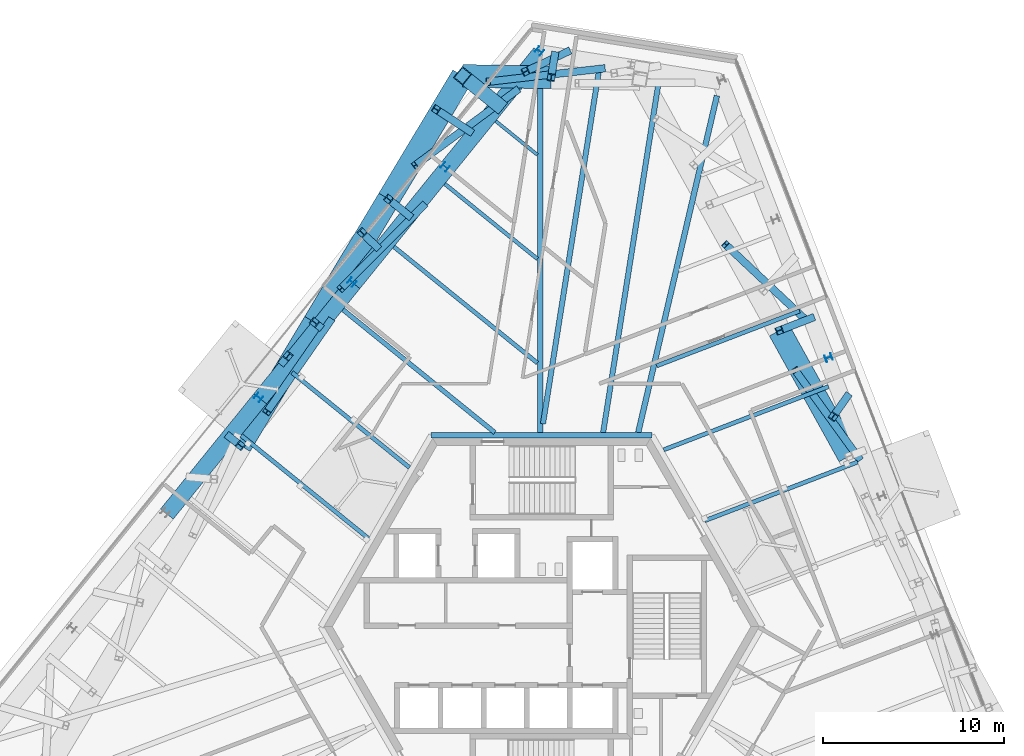
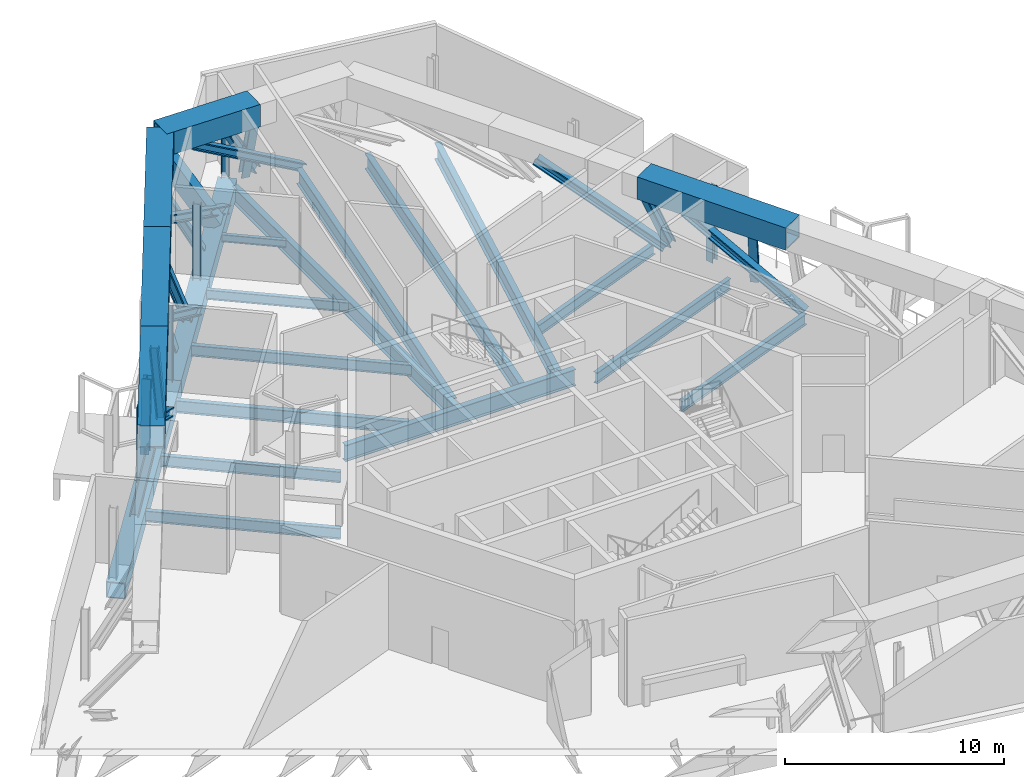
# One storey, part 5 of 14: 31 members, 14 beams.
"""IFC4 building model written with IfcOpenShell, lengths in metres."""

from ifc_helpers import new_model, si_unit, direction, frame, origin, origin_2d, place, context, subcontext, project, spatial, hollow_rectangle, i_section, extrude, source, transform, mapped, material, material_profile, profile_set, type_object, element, save


model = new_model("IFC4")

# Units and contexts
model_context = context("Model", 3, precision=1e-05, world=origin(), true_north=direction((0.0, 1.0)))
body_context = subcontext(model_context, "Body", "Model", "MODEL_VIEW")
ifc_project = project(units=[si_unit("LENGTHUNIT", "METRE"), si_unit("AREAUNIT", "SQUARE_METRE"), si_unit("VOLUMEUNIT", "CUBIC_METRE"), si_unit("PLANEANGLEUNIT", "RADIAN"), si_unit("MASSUNIT", "GRAM", prefix="KILO")], contexts=[model_context])

# Site, building, storey
site_placement = place(None, origin())
site = spatial("IfcSite", under=ifc_project, at=site_placement, CompositionType="ELEMENT")
building_placement = place(site_placement, origin())
building = spatial("IfcBuilding", under=site, at=building_placement, Name="Triune Harvest Tower", CompositionType="ELEMENT")
storey_placement = place(building_placement, frame((0.0, 0.0, 174.925048828125)))
storey = spatial("IfcBuildingStorey", under=building, at=storey_placement, Name="L45", CompositionType="ELEMENT", Elevation=174.925048828125)

# Beams
ifc_material_1 = material(Name="Steel ASTM A992 Gr 50", Category="steel")
ifc_material_profile_1 = material_profile(ifc_material_1, i_section(OverallWidth=0.307373046875, OverallDepth=0.922119140625, WebThickness=0.018310546875, FlangeThickness=0.030029296875, at=origin_2d()), Name="W36x182")
ifc_profile_set_1 = profile_set([ifc_material_profile_1], Name="Steel ASTM A992 Gr 50")
beam_type_1 = type_object("IfcBeamType", Name="HG-2 Hip girder W36x182", PredefinedType="BEAM", material=ifc_profile_set_1)
beam_1_placement = place(storey_placement, frame((9.66455078125, 29.269287109375, -0.7109375), z_axis=(-0.227604304502, -0.97375370632, 0.0), x_axis=(0.97375370632, -0.227604304502, 0.0)))
element("IfcBeam", 1, at=beam_1_placement, inside=storey, type_object=beam_type_1, Name="beam/L45/HG3", PredefinedType="BEAM", context=body_context, shape_type="SweptSolid", body=[
    extrude(i_section(OverallWidth=0.307373046875, OverallDepth=0.922119140625, WebThickness=0.018310546875, FlangeThickness=0.030029296875, at=origin_2d()), origin(), (0.0, 0.0, 1.0), 19.07275390625),
])
ifc_material_2 = material(Name="Steel ASTM A992 Gr 50", Category="steel")
ifc_material_profile_2 = material_profile(ifc_material_2, i_section(OverallWidth=0.22900390625, OverallDepth=0.612060546875, WebThickness=0.011962890625, FlangeThickness=0.01953125, at=origin_2d()), Name="W24x84")
ifc_profile_set_2 = profile_set([ifc_material_profile_2], Name="Steel ASTM A992 Gr 50")
beam_type_2 = type_object("IfcBeamType", Name="JT-3 Floor joist W24x84", PredefinedType="JOIST", material=ifc_profile_set_2)
beam_2_placement = place(storey_placement, frame((15.81884765625, 13.23681640625, -0.55615234375), z_axis=(-0.933581831711, -0.358364288816, 0.0), x_axis=(0.358364288816, -0.933581831711, 0.0)))
element("IfcBeam", 2, at=beam_2_placement, inside=storey, type_object=beam_type_2, Name="beam/L45/JT7", PredefinedType="JOIST", context=body_context, shape_type="SweptSolid", body=[
    extrude(i_section(OverallWidth=0.22900390625, OverallDepth=0.612060546875, WebThickness=0.011962890625, FlangeThickness=0.01953125, at=origin_2d()), origin(), (0.0, 0.0, 1.0), 9.74072265625),
])
ifc_material_3 = material(Name="Steel ASTM A992 Gr 50", Category="steel")
ifc_material_profile_3 = material_profile(ifc_material_3, i_section(OverallWidth=0.253662109375, OverallDepth=0.683349609375, WebThickness=0.012451171875, FlangeThickness=0.01904296875, at=origin_2d()), Name="W27x94")
ifc_profile_set_3 = profile_set([ifc_material_profile_3], Name="Steel ASTM A992 Gr 50")
beam_type_3 = type_object("IfcBeamType", Name="JT-4 Floor joist W27x94", PredefinedType="JOIST", material=ifc_profile_set_3)
beam_3_placement = place(storey_placement, frame((-10.954345703125, 17.477294921875, -0.591552734375), z_axis=(0.777140901301, -0.629326639771, 0.0), x_axis=(0.629326639771, 0.777140901301, 0.0)))
element("IfcBeam", 3, at=beam_3_placement, inside=storey, type_object=beam_type_3, Name="beam/L45/JT16", PredefinedType="JOIST", context=body_context, shape_type="SweptSolid", body=[
    extrude(i_section(OverallWidth=0.253662109375, OverallDepth=0.683349609375, WebThickness=0.012451171875, FlangeThickness=0.01904296875, at=origin_2d()), origin(), (0.0, 0.0, 1.0), 10.77392578125),
])
ifc_material_4 = material(Name="Steel ASTM A992 Gr 50", Category="steel")
ifc_material_profile_4 = material_profile(ifc_material_4, i_section(OverallWidth=0.2919921875, OverallDepth=0.8583984375, WebThickness=0.01708984375, FlangeThickness=0.031005859375, at=origin_2d()), Name="W33x169")
ifc_profile_set_4 = profile_set([ifc_material_profile_4], Name="Steel ASTM A992 Gr 50")
beam_type_4 = type_object("IfcBeamType", Name="JT-7 Floor joist W33x169", PredefinedType="JOIST", material=ifc_profile_set_4)
beam_4_placement = place(storey_placement, frame((3.1591796875, 30.6533203125, -0.679443359375), z_axis=(-0.156433031063, -0.987688567714, 0.0), x_axis=(0.987688567714, -0.156433031063, 0.0)))
element("IfcBeam", 4, at=beam_4_placement, inside=storey, type_object=beam_type_4, Name="beam/L45/JT12", PredefinedType="JOIST", context=body_context, shape_type="SweptSolid", body=[
    extrude(i_section(OverallWidth=0.2919921875, OverallDepth=0.8583984375, WebThickness=0.01708984375, FlangeThickness=0.031005859375, at=origin_2d()), origin(), (0.0, 0.0, 1.0), 19.718994140625),
])

# Members
ifc_material_5 = material(Name="Steel ASTM A572 Gr 50", Category="steel")
ifc_material_profile_5 = material_profile(ifc_material_5, hollow_rectangle(XDim=1.25, YDim=1.25, WallThickness=0.070068359375, at=origin_2d()), Name="Box 1250x1250x70")
ifc_profile_set_5 = profile_set([ifc_material_profile_5], Name="Steel ASTM A572 Gr 50")
member_type_1 = type_object("IfcMemberType", Name="TC-1 Belt truss chord Box 1250x1250x70", PredefinedType="CHORD", material=ifc_profile_set_5)
member_1_placement = place(storey_placement, frame((-4.359130859375, 30.36376953125, 4.18994140625), z_axis=(-0.5150210223, -0.857177546713, 0.0), x_axis=(0.857177546713, -0.5150210223, 0.0)))
element("IfcMember", 5, at=member_1_placement, inside=storey, type_object=member_type_1, Name="truss/L45/TCT9", PredefinedType="CHORD", context=body_context, shape_type="SweptSolid", body=[
    extrude(hollow_rectangle(XDim=1.25, YDim=1.25, WallThickness=0.070068359375, at=origin_2d()), origin(), (0.0, 0.0, 1.0), 7.927490234375),
])
ifc_material_6 = material(Name="Steel ASTM A992 Gr 50", Category="steel")
ifc_material_profile_6 = material_profile(ifc_material_6, i_section(OverallWidth=0.411376953125, OverallDepth=0.434326171875, WebThickness=0.035888671875, FlangeThickness=0.057373046875, at=origin_2d()), Name="W14x311")
ifc_profile_set_6 = profile_set([ifc_material_profile_6], Name="Steel ASTM A992 Gr 50")
member_type_2 = type_object("IfcMemberType", Name="TD-2 Belt truss diagonal W14x311", PredefinedType="BRACE", material=ifc_profile_set_6)
member_2_placement = place(storey_placement, frame((-11.632080078125, 16.878662109375, -0.324951171875), z_axis=(-0.481877560702, -0.691860716535, 0.537701371961), x_axis=(0.820580833985, -0.571530484661, 0.0)))
element("IfcMember", 6, at=member_2_placement, inside=storey, type_object=member_type_2, Name="truss/L45/TD21", PredefinedType="BRACE", context=body_context, shape_type="SweptSolid", body=[
    extrude(i_section(OverallWidth=0.411376953125, OverallDepth=0.434326171875, WebThickness=0.035888671875, FlangeThickness=0.057373046875, at=origin_2d()), origin(), (0.0, 0.0, 1.0), 7.29931640625),
])

# Beams
ifc_material_7 = material(Name="Steel ASTM A992 Gr 50", Category="steel")
ifc_material_profile_7 = material_profile(ifc_material_7, i_section(OverallWidth=0.3046875, OverallDepth=0.914306640625, WebThickness=0.0166015625, FlangeThickness=0.02587890625, at=origin_2d()), Name="W36x160")
ifc_profile_set_7 = profile_set([ifc_material_profile_7], Name="Steel ASTM A992 Gr 50")
beam_type_5 = type_object("IfcBeamType", Name="CG-1 Core ring girder W36x160", PredefinedType="BEAM", material=ifc_profile_set_7)
shared_shape_1 = source(origin(), body_context, "Body", "SweptSolid", [
    extrude(i_section(OverallWidth=0.3046875, OverallDepth=0.914306640625, WebThickness=0.0166015625, FlangeThickness=0.02587890625, at=origin_2d()), origin(), (0.0, 0.0, 1.0), 12.17578125),
])
beam_5_placement = place(storey_placement, frame((6.087890625, 10.544677734375, -0.707275390625), z_axis=(-1.0, 0.0, 0.0), x_axis=(0.0, -1.0, 0.0)))
element("IfcBeam", 7, at=beam_5_placement, inside=storey, type_object=beam_type_5, Name="beam/L45/CG2", PredefinedType="BEAM", context=body_context, shape_type="MappedRepresentation", body=[
    mapped(shared_shape_1, transform((0.0, 0.0, 0.0), scale=1.0)),
])
shared_shape_2 = source(origin(), body_context, "Body", "SweptSolid", [
    extrude(i_section(OverallWidth=0.307373046875, OverallDepth=0.922119140625, WebThickness=0.018310546875, FlangeThickness=0.030029296875, at=origin_2d()), origin(), (0.0, 0.0, 1.0), 20.209716796875),
])
beam_6_placement = place(storey_placement, frame((-0.0791015625, 30.90673828125, -0.7109375), z_axis=(0.0, -1.0, 0.0), x_axis=(1.0, 0.0, 0.0)))
element("IfcBeam", 8, at=beam_6_placement, inside=storey, type_object=beam_type_1, Name="beam/L45/HG4", PredefinedType="BEAM", context=body_context, shape_type="MappedRepresentation", body=[
    mapped(shared_shape_2, transform((0.0, 0.0, 0.0), scale=1.0)),
])
shared_shape_3 = source(origin(), body_context, "Body", "SweptSolid", [
    extrude(i_section(OverallWidth=0.22900390625, OverallDepth=0.612060546875, WebThickness=0.011962890625, FlangeThickness=0.01953125, at=origin_2d()), origin(), (0.0, 0.0, 1.0), 10.18505859375),
])
beam_7_placement = place(storey_placement, frame((-8.148193359375, 20.942626953125, -0.55615234375), z_axis=(0.777146056887, -0.629320273203, 0.0), x_axis=(0.629320273203, 0.777146056887, 0.0)))
element("IfcBeam", 9, at=beam_7_placement, inside=storey, type_object=beam_type_2, Name="beam/L45/JT15", PredefinedType="JOIST", context=body_context, shape_type="MappedRepresentation", body=[
    mapped(shared_shape_3, transform((0.0, 0.0, 0.0), scale=1.0)),
])
shared_shape_4 = source(origin(), body_context, "Body", "SweptSolid", [
    extrude(i_section(OverallWidth=0.22900390625, OverallDepth=0.612060546875, WebThickness=0.011962890625, FlangeThickness=0.01953125, at=origin_2d()), origin(), (0.0, 0.0, 1.0), 9.03466796875),
])
for number, where, z_axis, x_axis, name in (
    (10, (17.4169921875, 9.073974609375, -0.55615234375), (-0.933578027783, -0.358374198346, 0.0), (0.358374198346, -0.933578027783, 0.0), "beam/L45/JT6"),
    (11, (-16.566650390625, 10.54638671875, -0.55615234375), (0.777153613736, -0.629310941155, 0.0), (0.629310941155, 0.777153613736, 0.0), "beam/L45/JT18"),
):
    element("IfcBeam", number, at=place(storey_placement, frame(where, z_axis=z_axis, x_axis=x_axis)), inside=storey, type_object=beam_type_2, Name=name, PredefinedType="JOIST", context=body_context, shape_type="MappedRepresentation", body=[
        mapped(shared_shape_4, transform((0.0, 0.0, 0.0), scale=1.0)),
    ])
shared_shape_5 = source(origin(), body_context, "Body", "SweptSolid", [
    extrude(i_section(OverallWidth=0.22900390625, OverallDepth=0.612060546875, WebThickness=0.011962890625, FlangeThickness=0.01953125, at=origin_2d()), origin(), (0.0, 0.0, 1.0), 8.4404296875),
])
beam_8_placement = place(storey_placement, frame((14.220947265625, 17.399658203125, -0.55615234375), z_axis=(-0.933586190145, -0.358352934369, 0.0), x_axis=(0.358352934369, -0.933586190145, 0.0)))
element("IfcBeam", 12, at=beam_8_placement, inside=storey, type_object=beam_type_2, Name="beam/L45/JT8", PredefinedType="JOIST", context=body_context, shape_type="MappedRepresentation", body=[
    mapped(shared_shape_5, transform((0.0, 0.0, 0.0), scale=1.0)),
])
shared_shape_6 = source(origin(), body_context, "Body", "SweptSolid", [
    extrude(i_section(OverallWidth=0.2919921875, OverallDepth=0.8583984375, WebThickness=0.01708984375, FlangeThickness=0.031005859375, at=origin_2d()), origin(), (0.0, 0.0, 1.0), 19.674560546875),
])
beam_9_placement = place(storey_placement, frame((6.468017578125, 30.12939453125, -0.679443359375), z_axis=(-0.156439191803, -0.987687591938, 0.0), x_axis=(0.987687591938, -0.156439191803, 0.0)))
element("IfcBeam", 13, at=beam_9_placement, inside=storey, type_object=beam_type_4, Name="beam/L45/JT11", PredefinedType="JOIST", context=body_context, shape_type="MappedRepresentation", body=[
    mapped(shared_shape_6, transform((0.0, 0.0, 0.0), scale=1.0)),
])
ifc_material_8 = material(Name="Steel ASTM A992 Gr 50", Category="steel")
ifc_material_profile_8 = material_profile(ifc_material_8, i_section(OverallWidth=0.180908203125, OverallDepth=0.41650390625, WebThickness=0.010986328125, FlangeThickness=0.01806640625, at=origin_2d()), Name="W16x57")
ifc_profile_set_8 = profile_set([ifc_material_profile_8], Name="Steel ASTM A992 Gr 50")
beam_type_6 = type_object("IfcBeamType", Name="JT-1 Floor joist W16x57", PredefinedType="JOIST", material=ifc_profile_set_8)
shared_shape_7 = source(origin(), body_context, "Body", "SweptSolid", [
    extrude(i_section(OverallWidth=0.180908203125, OverallDepth=0.41650390625, WebThickness=0.010986328125, FlangeThickness=0.01806640625, at=origin_2d()), origin(), (0.0, 0.0, 1.0), 2.963134765625),
])
beam_10_placement = place(storey_placement, frame((-2.53564453125, 27.873291015625, -0.458251953125), z_axis=(0.777141246754, -0.629326213179, 0.0), x_axis=(0.629326213179, 0.777141246754, 0.0)))
element("IfcBeam", 14, at=beam_10_placement, inside=storey, type_object=beam_type_6, Name="beam/L45/JT13", PredefinedType="JOIST", context=body_context, shape_type="MappedRepresentation", body=[
    mapped(shared_shape_7, transform((0.0, 0.0, 0.0), scale=1.0)),
])
ifc_material_9 = material(Name="Steel ASTM A992 Gr 50", Category="steel")
ifc_material_profile_9 = material_profile(ifc_material_9, i_section(OverallWidth=0.2099609375, OverallDepth=0.535888671875, WebThickness=0.010986328125, FlangeThickness=0.017333984375, at=origin_2d()), Name="W21x68")
ifc_profile_set_9 = profile_set([ifc_material_profile_9], Name="Steel ASTM A992 Gr 50")
beam_type_7 = type_object("IfcBeamType", Name="JT-2 Floor joist W21x68", PredefinedType="JOIST", material=ifc_profile_set_9)
shared_shape_8 = source(origin(), body_context, "Body", "SweptSolid", [
    extrude(i_section(OverallWidth=0.2099609375, OverallDepth=0.535888671875, WebThickness=0.010986328125, FlangeThickness=0.017333984375, at=origin_2d()), origin(), (0.0, 0.0, 1.0), 6.573974609375),
])
beam_11_placement = place(storey_placement, frame((-5.341796875, 24.407958984375, -0.51806640625), z_axis=(0.777137618763, -0.629330693279, 0.0), x_axis=(0.629330693279, 0.777137618763, 0.0)))
element("IfcBeam", 15, at=beam_11_placement, inside=storey, type_object=beam_type_7, Name="beam/L45/JT14", PredefinedType="JOIST", context=body_context, shape_type="MappedRepresentation", body=[
    mapped(shared_shape_8, transform((0.0, 0.0, 0.0), scale=1.0)),
])
shared_shape_9 = source(origin(), body_context, "Body", "SweptSolid", [
    extrude(i_section(OverallWidth=0.22900390625, OverallDepth=0.612060546875, WebThickness=0.011962890625, FlangeThickness=0.01953125, at=origin_2d()), origin(), (0.0, 0.0, 1.0), 8.328369140625),
])
beam_12_placement = place(storey_placement, frame((-13.760498046875, 14.011962890625, -0.55615234375), z_axis=(0.777148606648, -0.629317124496, 0.0), x_axis=(0.629317124496, 0.777148606648, 0.0)))
element("IfcBeam", 16, at=beam_12_placement, inside=storey, type_object=beam_type_2, Name="beam/L45/JT17", PredefinedType="JOIST", context=body_context, shape_type="MappedRepresentation", body=[
    mapped(shared_shape_9, transform((0.0, 0.0, 0.0), scale=1.0)),
])

# Members
ifc_material_10 = material(Name="Steel ASTM A992 Gr 50", Category="steel")
ifc_material_profile_10 = material_profile(ifc_material_10, i_section(OverallWidth=0.373291015625, OverallDepth=0.373291015625, WebThickness=0.016357421875, FlangeThickness=0.026123046875, at=origin_2d()), Name="W14x132")
ifc_profile_set_10 = profile_set([ifc_material_profile_10], Name="Steel ASTM A992 Gr 50")
member_type_3 = type_object("IfcMemberType", Name="WP-4 Roof edge post W14x132", PredefinedType="POST", material=ifc_profile_set_10)
shared_shape_10 = source(origin(), body_context, "Body", "SweptSolid", [
    extrude(i_section(OverallWidth=0.373291015625, OverallDepth=0.373291015625, WebThickness=0.016357421875, FlangeThickness=0.026123046875, at=origin_2d()), origin(), (0.0, 0.0, 1.0), 4.150634765625),
])
for number, where, z_axis, x_axis, name in (
    (17, (15.818359375, 14.82861328125, -0.25), (0.0, 0.0, 1.0), (-0.358367949545, 0.933580426497, 0.0), "post/L45/W4"),
    (18, (-0.122314453125, 31.73388671875, -0.25), (0.0, 0.0, 1.0), (-0.629321747424, -0.777144863084, 0.0), "post/L45/W8"),
    (19, (-5.317138671875, 25.34423828125, -0.25), (0.0, 0.0, 1.0), (-0.629321747424, -0.777144863084, 0.0), "post/L45/W9"),
    (20, (-10.4619140625, 18.9912109375, -0.25), (0.0, 0.0, 1.0), (-0.629321747424, -0.777144863084, 0.0), "post/L45/W10"),
    (21, (-15.606689453125, 12.637939453125, -0.25), (0.0, 0.0, 1.0), (-0.629321747424, -0.777144863084, 0.0), "post/L45/W11"),
):
    element("IfcMember", number, at=place(storey_placement, frame(where, z_axis=z_axis, x_axis=x_axis)), inside=storey, type_object=member_type_3, Name=name, PredefinedType="POST", context=body_context, shape_type="MappedRepresentation", body=[
        mapped(shared_shape_10, transform((0.0, 0.0, 0.0), scale=1.0)),
    ])
ifc_material_11 = material(Name="Steel ASTM A572 Gr 50", Category="steel")
ifc_material_profile_11 = material_profile(ifc_material_11, hollow_rectangle(XDim=0.89990234375, YDim=0.89990234375, WallThickness=0.050048828125, at=origin_2d()), Name="Box 900x900x50")
ifc_profile_set_11 = profile_set([ifc_material_profile_11], Name="Steel ASTM A572 Gr 50")
member_type_4 = type_object("IfcMemberType", Name="TC-2 Belt truss chord Box 900x900x50", PredefinedType="CHORD", material=ifc_profile_set_11)
shared_shape_11 = source(origin(), body_context, "Body", "SweptSolid", [
    extrude(hollow_rectangle(XDim=0.89990234375, YDim=0.89990234375, WallThickness=0.050048828125, at=origin_2d()), origin(), (0.0, 0.0, 1.0), 8.175048828125),
])
for number, where, z_axis, x_axis, name in (
    (22, (-0.0791015625, 31.621826171875, -0.699951171875), (-0.629334818401, -0.777134278196, 0.0), (0.777134278196, -0.629334818401, 0.0), "truss/L45/TCB9"),
    (23, (-5.223876953125, 25.268798828125, -0.699951171875), (-0.629320212564, -0.777146105992, 0.0), (0.777146105992, -0.629320212564, 0.0), "truss/L45/TCB10"),
    (24, (-15.51318359375, 12.5625, -0.699951171875), (-0.629320212564, -0.777146105992, 0.0), (0.777146105992, -0.629320212564, 0.0), "truss/L45/TCB12"),
):
    element("IfcMember", number, at=place(storey_placement, frame(where, z_axis=z_axis, x_axis=x_axis)), inside=storey, type_object=member_type_4, Name=name, PredefinedType="CHORD", context=body_context, shape_type="MappedRepresentation", body=[
        mapped(shared_shape_11, transform((0.0, 0.0, 0.0), scale=1.0)),
    ])
shared_shape_12 = source(origin(), body_context, "Body", "SweptSolid", [
    extrude(hollow_rectangle(XDim=0.89990234375, YDim=0.89990234375, WallThickness=0.050048828125, at=origin_2d()), origin(), (0.0, 0.0, 1.0), 8.1748046875),
])
member_3_placement = place(storey_placement, frame((-10.36865234375, 18.91552734375, -0.699951171875), z_axis=(-0.62931678159, -0.777148884326, 0.0), x_axis=(0.777148884326, -0.62931678159, 0.0)))
element("IfcMember", 25, at=member_3_placement, inside=storey, type_object=member_type_4, Name="truss/L45/TCB11", PredefinedType="CHORD", context=body_context, shape_type="MappedRepresentation", body=[
    mapped(shared_shape_12, transform((0.0, 0.0, 0.0), scale=1.0)),
])
shared_shape_13 = source(origin(), body_context, "Body", "SweptSolid", [
    extrude(hollow_rectangle(XDim=1.25, YDim=1.25, WallThickness=0.070068359375, at=origin_2d()), origin(), (0.0, 0.0, 1.0), 7.92724609375),
])
for number, where, z_axis, x_axis, name in (
    (26, (16.94580078125, 9.39306640625, 4.18994140625), (-0.48481379599, 0.874617392474, 0.0), (-0.874617392474, -0.48481379599, 0.0), "truss/L45/TCT4"),
    (27, (-8.44189453125, 23.568603515625, 4.18994140625), (-0.515034618449, -0.857169377544, 0.0), (0.857169377544, -0.515034618449, 0.0), "truss/L45/TCT10"),
    (28, (-12.524658203125, 16.773681640625, 4.18994140625), (-0.515034618449, -0.857169377544, 0.0), (0.857169377544, -0.515034618449, 0.0), "truss/L45/TCT11"),
):
    element("IfcMember", number, at=place(storey_placement, frame(where, z_axis=z_axis, x_axis=x_axis)), inside=storey, type_object=member_type_1, Name=name, PredefinedType="CHORD", context=body_context, shape_type="MappedRepresentation", body=[
        mapped(shared_shape_13, transform((0.0, 0.0, 0.0), scale=1.0)),
    ])
shared_shape_14 = source(origin(), body_context, "Body", "SweptSolid", [
    extrude(hollow_rectangle(XDim=1.25, YDim=1.25, WallThickness=0.070068359375, at=origin_2d()), origin(), (0.0, 0.0, 1.0), 4.888427734375),
])
member_4_placement = place(storey_placement, frame((0.528564453125, 30.2783203125, 4.18994140625), z_axis=(-0.999847215813, 0.01747984643, 0.0), x_axis=(-0.01747984643, -0.999847215813, 0.0)))
element("IfcMember", 29, at=member_4_placement, inside=storey, type_object=member_type_1, Name="truss/L45/TCT8", PredefinedType="CHORD", context=body_context, shape_type="MappedRepresentation", body=[
    mapped(shared_shape_14, transform((0.0, 0.0, 0.0), scale=1.0)),
])
ifc_material_12 = material(Name="Steel ASTM A572 Gr 50", Category="steel")
ifc_material_profile_12 = material_profile(ifc_material_12, hollow_rectangle(XDim=0.800048828125, YDim=0.800048828125, WallThickness=0.050048828125, at=origin_2d()), Name="Box 800x800x50")
ifc_profile_set_12 = profile_set([ifc_material_profile_12], Name="Steel ASTM A572 Gr 50")
member_type_5 = type_object("IfcMemberType", Name="TS-2 Belt truss raked strut Box 800x800x50", PredefinedType="STRUT", material=ifc_profile_set_12)
shared_shape_15 = source(origin(), body_context, "Body", "SweptSolid", [
    extrude(hollow_rectangle(XDim=0.800048828125, YDim=0.800048828125, WallThickness=0.050048828125, at=origin_2d()), origin(), (0.0, 0.0, 1.0), 4.630126953125),
])
member_5_placement = place(storey_placement, frame((-2.3896484375, 28.768798828125, -0.275146484375), z_axis=(-0.425359117517, 0.34447392026, 0.836903422986), x_axis=(-0.629347864104, -0.777123713413, 0.0)))
element("IfcMember", 30, at=member_5_placement, inside=storey, type_object=member_type_5, Name="truss/L45/TS9", PredefinedType="STRUT", context=body_context, shape_type="MappedRepresentation", body=[
    mapped(shared_shape_15, transform((0.0, 0.0, 0.0), scale=1.0)),
])
ifc_material_13 = material(Name="Steel ASTM A992 Gr 50", Category="steel")
ifc_material_profile_13 = material_profile(ifc_material_13, i_section(OverallWidth=0.411376953125, OverallDepth=0.434326171875, WebThickness=0.035888671875, FlangeThickness=0.057373046875, at=origin_2d()), Name="W14x311")
ifc_profile_set_13 = profile_set([ifc_material_profile_13], Name="Steel ASTM A992 Gr 50")
member_type_6 = type_object("IfcMemberType", Name="TV-1 Belt truss strut W14x311", PredefinedType="STRUT", material=ifc_profile_set_13)
shared_shape_16 = source(origin(), body_context, "Body", "SweptSolid", [
    extrude(i_section(OverallWidth=0.411376953125, OverallDepth=0.434326171875, WebThickness=0.035888671875, FlangeThickness=0.057373046875, at=origin_2d()), origin(), (0.0, 0.0, 1.0), 4.130859375),
])
member_6_placement = place(storey_placement, frame((-7.329833984375, 22.668212890625, -0.275146484375), z_axis=(-0.26921586513, 0.217973240526, 0.93808874014), x_axis=(-0.629262035322, -0.777193213366, 0.0)))
element("IfcMember", 31, at=member_6_placement, inside=storey, type_object=member_type_6, Name="truss/L45/TS10", PredefinedType="STRUT", context=body_context, shape_type="MappedRepresentation", body=[
    mapped(shared_shape_16, transform((0.0, 0.0, 0.0), scale=1.0)),
])
shared_shape_17 = source(origin(), body_context, "Body", "SweptSolid", [
    extrude(i_section(OverallWidth=0.411376953125, OverallDepth=0.434326171875, WebThickness=0.035888671875, FlangeThickness=0.057373046875, at=origin_2d()), origin(), (0.0, 0.0, 1.0), 3.888916015625),
])
member_7_placement = place(storey_placement, frame((-12.27001953125, 16.567626953125, -0.275146484375), z_axis=(-0.065479668201, 0.052986423741, 0.996446110912), x_axis=(-0.629048132416, -0.777366353211, 0.0)))
element("IfcMember", 32, at=member_7_placement, inside=storey, type_object=member_type_6, Name="truss/L45/TS11", PredefinedType="STRUT", context=body_context, shape_type="MappedRepresentation", body=[
    mapped(shared_shape_17, transform((0.0, 0.0, 0.0), scale=1.0)),
])
shared_shape_18 = source(origin(), body_context, "Body", "SweptSolid", [
    extrude(i_section(OverallWidth=0.411376953125, OverallDepth=0.434326171875, WebThickness=0.035888671875, FlangeThickness=0.057373046875, at=origin_2d()), origin(), (0.0, 0.0, 1.0), 3.951904296875),
])
member_8_placement = place(storey_placement, frame((-17.210205078125, 10.466796875, -0.275146484375), z_axis=(0.152531735639, -0.12349572278, 0.980552332146), x_axis=(0.629252559655, 0.777200885337, 0.0)))
element("IfcMember", 33, at=member_8_placement, inside=storey, type_object=member_type_6, Name="truss/L45/TS12", PredefinedType="STRUT", context=body_context, shape_type="MappedRepresentation", body=[
    mapped(shared_shape_18, transform((0.0, 0.0, 0.0), scale=1.0)),
])
shared_shape_19 = source(origin(), body_context, "Body", "SweptSolid", [
    extrude(i_section(OverallWidth=0.411376953125, OverallDepth=0.434326171875, WebThickness=0.035888671875, FlangeThickness=0.057373046875, at=origin_2d()), origin(), (0.0, 0.0, 1.0), 4.306396484375),
])
member_9_placement = place(storey_placement, frame((14.8564453125, 16.999755859375, -0.275146484375), z_axis=(-0.407277699093, -0.156357446283, 0.899820662584), x_axis=(0.358404280434, -0.933566479565, 0.0)))
element("IfcMember", 34, at=member_9_placement, inside=storey, type_object=member_type_6, Name="truss/L45/TS5", PredefinedType="STRUT", context=body_context, shape_type="MappedRepresentation", body=[
    mapped(shared_shape_19, transform((0.0, 0.0, 0.0), scale=1.0)),
])
shared_shape_20 = source(origin(), body_context, "Body", "SweptSolid", [
    extrude(i_section(OverallWidth=0.411376953125, OverallDepth=0.434326171875, WebThickness=0.035888671875, FlangeThickness=0.057373046875, at=origin_2d()), origin(), (0.0, 0.0, 1.0), 4.066162109375),
])
member_10_placement = place(storey_placement, frame((0.72119140625, 31.4951171875, -0.275146484375), z_axis=(-0.047373661955, -0.299252637747, 0.95299716419), x_axis=(0.987700219699, -0.156359444892, 0.0)))
element("IfcMember", 35, at=member_10_placement, inside=storey, type_object=member_type_6, Name="truss/L45/TS8", PredefinedType="STRUT", context=body_context, shape_type="MappedRepresentation", body=[
    mapped(shared_shape_20, transform((0.0, 0.0, 0.0), scale=1.0)),
])
shared_shape_21 = source(origin(), body_context, "Body", "SweptSolid", [
    extrude(i_section(OverallWidth=0.411376953125, OverallDepth=0.434326171875, WebThickness=0.035888671875, FlangeThickness=0.057373046875, at=origin_2d()), origin(), (0.0, 0.0, 1.0), 8.03662109375),
])
member_11_placement = place(storey_placement, frame((-1.3427734375, 29.5849609375, -0.324951171875), z_axis=(-0.701932914982, -0.518444868306, 0.488369840788), x_axis=(0.594113034905, -0.804381564779, 0.0)))
element("IfcMember", 36, at=member_11_placement, inside=storey, type_object=member_type_2, Name="truss/L45/TD17", PredefinedType="BRACE", context=body_context, shape_type="MappedRepresentation", body=[
    mapped(shared_shape_21, transform((0.0, 0.0, 0.0), scale=1.0)),
])
shared_shape_22 = source(origin(), body_context, "Body", "SweptSolid", [
    extrude(i_section(OverallWidth=0.411376953125, OverallDepth=0.434326171875, WebThickness=0.035888671875, FlangeThickness=0.057373046875, at=origin_2d()), origin(), (0.0, 0.0, 1.0), 4.5068359375),
])
member_12_placement = place(storey_placement, frame((-3.96044921875, 27.3056640625, -0.324951171875), z_axis=(-0.411974973052, 0.26809521915, 0.870862546587), x_axis=(-0.545433765899, -0.838153927997, 0.0)))
element("IfcMember", 37, at=member_12_placement, inside=storey, type_object=member_type_2, Name="truss/L45/TD18", PredefinedType="BRACE", context=body_context, shape_type="MappedRepresentation", body=[
    mapped(shared_shape_22, transform((0.0, 0.0, 0.0), scale=1.0)),
])
shared_shape_23 = source(origin(), body_context, "Body", "SweptSolid", [
    extrude(i_section(OverallWidth=0.411376953125, OverallDepth=0.434326171875, WebThickness=0.035888671875, FlangeThickness=0.057373046875, at=origin_2d()), origin(), (0.0, 0.0, 1.0), 7.590087890625),
])
member_13_placement = place(storey_placement, frame((-6.4873046875, 23.231689453125, -0.324951171875), z_axis=(-0.603331579027, -0.607127128759, 0.517095402487), x_axis=(0.709320518822, -0.704886091208, 0.0)))
element("IfcMember", 38, at=member_13_placement, inside=storey, type_object=member_type_2, Name="truss/L45/TD19", PredefinedType="BRACE", context=body_context, shape_type="MappedRepresentation", body=[
    mapped(shared_shape_23, transform((0.0, 0.0, 0.0), scale=1.0)),
])
shared_shape_24 = source(origin(), body_context, "Body", "SweptSolid", [
    extrude(i_section(OverallWidth=0.411376953125, OverallDepth=0.434326171875, WebThickness=0.035888671875, FlangeThickness=0.057373046875, at=origin_2d()), origin(), (0.0, 0.0, 1.0), 4.0771484375),
])
member_14_placement = place(storey_placement, frame((-9.10498046875, 20.95263671875, -0.324951171875), z_axis=(-0.194969139531, 0.187963184578, 0.962630186455), x_axis=(-0.694053728877, -0.719923205232, 0.0)))
element("IfcMember", 39, at=member_14_placement, inside=storey, type_object=member_type_2, Name="truss/L45/TD20", PredefinedType="BRACE", context=body_context, shape_type="MappedRepresentation", body=[
    mapped(shared_shape_24, transform((0.0, 0.0, 0.0), scale=1.0)),
])
shared_shape_25 = source(origin(), body_context, "Body", "SweptSolid", [
    extrude(i_section(OverallWidth=0.411376953125, OverallDepth=0.434326171875, WebThickness=0.035888671875, FlangeThickness=0.057373046875, at=origin_2d()), origin(), (0.0, 0.0, 1.0), 3.947265625),
])
member_15_placement = place(storey_placement, frame((-14.249755859375, 14.599365234375, -0.324951171875), z_axis=(0.067664614664, 0.082261368833, 0.994311101778), x_axis=(-0.772298864833, 0.635259367013, 0.0)))
element("IfcMember", 40, at=member_15_placement, inside=storey, type_object=member_type_2, Name="truss/L45/TD22", PredefinedType="BRACE", context=body_context, shape_type="MappedRepresentation", body=[
    mapped(shared_shape_25, transform((0.0, 0.0, 0.0), scale=1.0)),
])
shared_shape_26 = source(origin(), body_context, "Body", "SweptSolid", [
    extrude(i_section(OverallWidth=0.411376953125, OverallDepth=0.434326171875, WebThickness=0.035888671875, FlangeThickness=0.057373046875, at=origin_2d()), origin(), (0.0, 0.0, 1.0), 7.182861328125),
])
member_16_placement = place(storey_placement, frame((17.503662109375, 9.266357421875, -0.324951171875), z_axis=(-0.491206778091, 0.678349354909, 0.546404661265), x_axis=(-0.809948769197, -0.586500631949, 0.0)))
element("IfcMember", 41, at=member_16_placement, inside=storey, type_object=member_type_2, Name="truss/L45/TD7", PredefinedType="BRACE", context=body_context, shape_type="MappedRepresentation", body=[
    mapped(shared_shape_26, transform((0.0, 0.0, 0.0), scale=1.0)),
])
shared_shape_27 = source(origin(), body_context, "Body", "SweptSolid", [
    extrude(i_section(OverallWidth=0.411376953125, OverallDepth=0.434326171875, WebThickness=0.035888671875, FlangeThickness=0.057373046875, at=origin_2d()), origin(), (0.0, 0.0, 1.0), 4.1455078125),
])
member_17_placement = place(storey_placement, frame((16.838623046875, 12.673095703125, -0.324951171875), z_axis=(-0.184751960955, -0.263552765468, 0.946787543611), x_axis=(0.818844892775, -0.574014844387, 0.0)))
element("IfcMember", 42, at=member_17_placement, inside=storey, type_object=member_type_2, Name="truss/L45/TD8", PredefinedType="BRACE", context=body_context, shape_type="MappedRepresentation", body=[
    mapped(shared_shape_27, transform((0.0, 0.0, 0.0), scale=1.0)),
])
shared_shape_28 = source(origin(), body_context, "Body", "SweptSolid", [
    extrude(i_section(OverallWidth=0.411376953125, OverallDepth=0.434326171875, WebThickness=0.035888671875, FlangeThickness=0.057373046875, at=origin_2d()), origin(), (0.0, 0.0, 1.0), 7.24951171875),
])
member_18_placement = place(storey_placement, frame((14.573974609375, 16.8984375, -0.324951171875), z_axis=(-0.612716723908, 0.575739535667, 0.54138914222), x_axis=(-0.68477475183, -0.728754786781, 0.0)))
element("IfcMember", 43, at=member_18_placement, inside=storey, type_object=member_type_2, Name="truss/L45/TD9", PredefinedType="BRACE", context=body_context, shape_type="MappedRepresentation", body=[
    mapped(shared_shape_28, transform((0.0, 0.0, 0.0), scale=1.0)),
])
shared_shape_29 = source(origin(), body_context, "Body", "SweptSolid", [
    extrude(i_section(OverallWidth=0.411376953125, OverallDepth=0.434326171875, WebThickness=0.035888671875, FlangeThickness=0.057373046875, at=origin_2d()), origin(), (0.0, 0.0, 1.0), 7.48193359375),
])
member_19_placement = place(storey_placement, frame((3.388427734375, 30.76904296875, -0.324951171875), z_axis=(-0.845795798381, -0.097207780994, 0.524576128656), x_axis=(0.114178932842, -0.993460201163, 0.0)))
element("IfcMember", 44, at=member_19_placement, inside=storey, type_object=member_type_2, Name="truss/L45/TD15", PredefinedType="BRACE", context=body_context, shape_type="MappedRepresentation", body=[
    mapped(shared_shape_29, transform((0.0, 0.0, 0.0), scale=1.0)),
])
shared_shape_30 = source(origin(), body_context, "Body", "SweptSolid", [
    extrude(i_section(OverallWidth=0.411376953125, OverallDepth=0.434326171875, WebThickness=0.035888671875, FlangeThickness=0.057373046875, at=origin_2d()), origin(), (0.0, 0.0, 1.0), 4.680908203125),
])
member_20_placement = place(storey_placement, frame((1.416259765625, 31.688720703125, -0.324951171875), z_axis=(-0.492873835126, -0.232511275872, 0.838459235289), x_axis=(0.426654125913, -0.90441486987, 0.0)))
element("IfcMember", 45, at=member_20_placement, inside=storey, type_object=member_type_2, Name="truss/L45/TD16", PredefinedType="BRACE", context=body_context, shape_type="MappedRepresentation", body=[
    mapped(shared_shape_30, transform((0.0, 0.0, 0.0), scale=1.0)),
])

save(model, "model.ifc")
